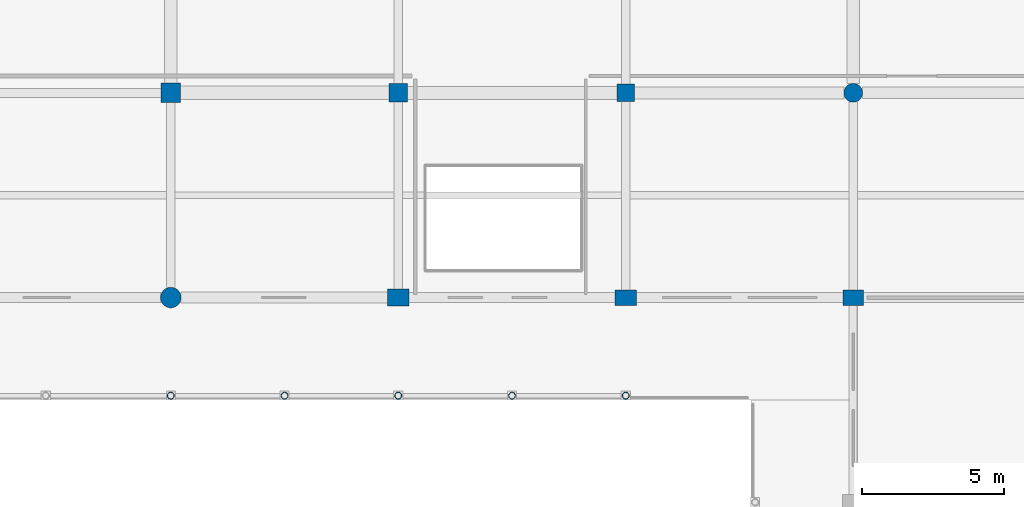
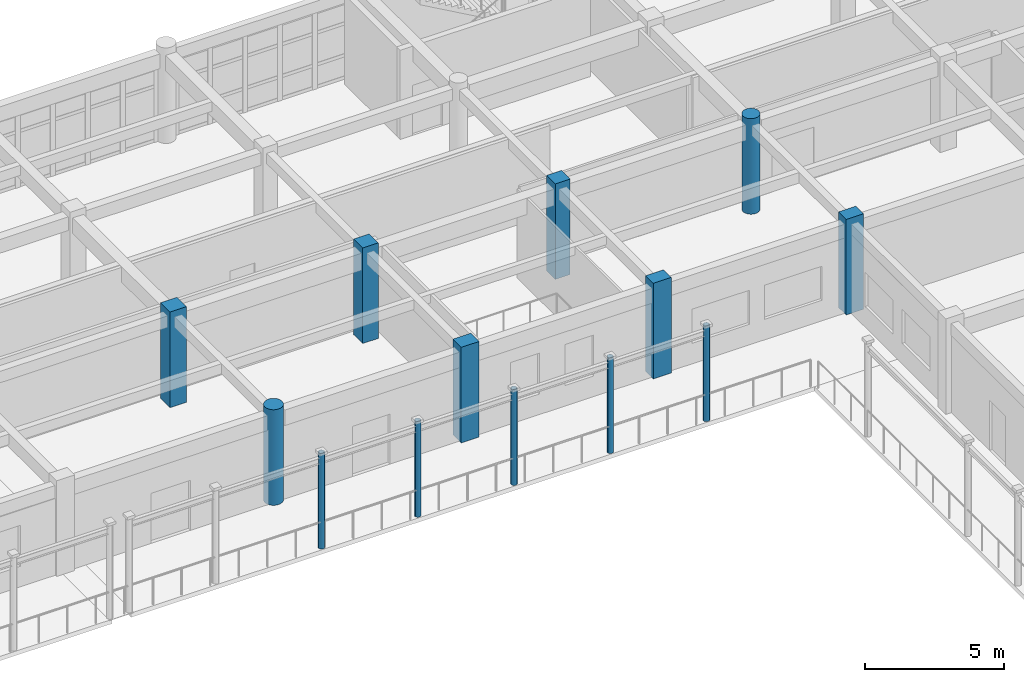
# One storey, part 30 of 195: 13 columns.
"""IFC4 building model written with IfcOpenShell, lengths in metres."""

from ifc_helpers import new_model, si_unit, direction, frame, origin, origin_2d, place, context, subcontext, project, spatial, rectangle, circle, hollow_circle, extrude, material, material_profile, profile_set, type_object, element, save


model = new_model("IFC4")

# Units and contexts
model_context = context("Model", 3, precision=1e-05, world=origin(), true_north=direction((0.0, 1.0)))
body_context = subcontext(model_context, "Body", "Model", "MODEL_VIEW")
ifc_project = project(units=[si_unit("LENGTHUNIT", "METRE"), si_unit("AREAUNIT", "SQUARE_METRE"), si_unit("VOLUMEUNIT", "CUBIC_METRE"), si_unit("PLANEANGLEUNIT", "RADIAN"), si_unit("MASSUNIT", "GRAM", prefix="KILO")], contexts=[model_context])

# Site, building, storey
site_placement = place(None, origin())
site = spatial("IfcSite", under=ifc_project, at=site_placement, CompositionType="ELEMENT")
building_placement = place(site_placement, origin())
building = spatial("IfcBuilding", under=site, at=building_placement, Name="Kharva Crest Polytechnic", CompositionType="ELEMENT")
storey_placement = place(building_placement, frame((0.0, 0.0, 9.0)))
storey = spatial("IfcBuildingStorey", under=building, at=storey_placement, Name="L02", CompositionType="ELEMENT", Elevation=9.0)

# Columns
ifc_material_1 = material(Name="Concrete C40/50", Category="concrete")
ifc_material_profile_1 = material_profile(ifc_material_1, rectangle(XDim=0.719970703125, YDim=0.550048828125, at=origin_2d()), Name="RECT 720 X 550")
ifc_profile_set_1 = profile_set([ifc_material_profile_1], Name="Concrete C40/50")
column_type_1 = type_object("IfcColumnType", Name="COL-EXT-720X550", PredefinedType="COLUMN", material=ifc_profile_set_1)
column_1_placement = place(storey_placement, frame((152.800048828125, 100.39990234375, 0.0), z_axis=(0.0, 0.0, 1.0), x_axis=(1.0, 0.0, 0.0)))
element("IfcColumn", 1, at=column_1_placement, inside=storey, type_object=column_type_1, Name="L02 Column 20/P", PredefinedType="COLUMN", context=body_context, shape_type="SweptSolid", body=[
    extrude(rectangle(XDim=0.719970703125, YDim=0.550048828125, at=origin_2d()), origin(), (0.0, 0.0, 1.0), 4.199951171875),
])
ifc_material_profile_2 = material_profile(ifc_material_1, rectangle(XDim=0.75, YDim=0.550048828125, at=origin_2d()), Name="RECT 750 X 550")
ifc_profile_set_2 = profile_set([ifc_material_profile_2], Name="Concrete C40/50")
column_type_2 = type_object("IfcColumnType", Name="COL-EXT-750X550", PredefinedType="COLUMN", material=ifc_profile_set_2)
column_2_placement = place(storey_placement, frame((144.800048828125, 100.39990234375, 0.0), z_axis=(0.0, 0.0, 1.0), x_axis=(1.0, 0.0, 0.0)))
element("IfcColumn", 2, at=column_2_placement, inside=storey, type_object=column_type_2, Name="L02 Column 19/P", PredefinedType="COLUMN", context=body_context, shape_type="SweptSolid", body=[
    extrude(rectangle(XDim=0.75, YDim=0.550048828125, at=origin_2d()), origin(), (0.0, 0.0, 1.0), 4.199951171875),
])
ifc_material_profile_3 = material_profile(ifc_material_1, rectangle(XDim=0.75, YDim=0.60009765625, at=origin_2d()), Name="RECT 750 X 600")
ifc_profile_set_3 = profile_set([ifc_material_profile_3], Name="Concrete C40/50")
column_type_3 = type_object("IfcColumnType", Name="COL-EXT-750X600", PredefinedType="COLUMN", material=ifc_profile_set_3)
column_3_placement = place(storey_placement, frame((136.800048828125, 100.39990234375, 0.0), z_axis=(0.0, 0.0, 1.0), x_axis=(1.0, 0.0, 0.0)))
element("IfcColumn", 3, at=column_3_placement, inside=storey, type_object=column_type_3, Name="L02 Column 18/P", PredefinedType="COLUMN", context=body_context, shape_type="SweptSolid", body=[
    extrude(rectangle(XDim=0.75, YDim=0.60009765625, at=origin_2d()), origin(), (0.0, 0.0, 1.0), 4.199951171875),
])
ifc_material_profile_4 = material_profile(ifc_material_1, circle(Radius=0.360107421875, at=origin_2d()), Name="DIA 720")
ifc_profile_set_4 = profile_set([ifc_material_profile_4], Name="Concrete C40/50")
column_type_4 = type_object("IfcColumnType", Name="COL-EXT-DIA720", PredefinedType="COLUMN", material=ifc_profile_set_4)
column_4_placement = place(storey_placement, frame((128.800048828125, 100.39990234375, 0.0), z_axis=(0.0, 0.0, 1.0), x_axis=(1.0, 0.0, 0.0)))
element("IfcColumn", 4, at=column_4_placement, inside=storey, type_object=column_type_4, Name="L02 Column 17/P", PredefinedType="COLUMN", context=body_context, shape_type="SweptSolid", body=[
    extrude(circle(Radius=0.360107421875, at=origin_2d()), origin(), (0.0, 0.0, 1.0), 4.199951171875),
])
ifc_material_profile_5 = material_profile(ifc_material_1, rectangle(XDim=0.6201171875, YDim=0.6201171875, at=origin_2d()), Name="RECT 620 X 620")
ifc_profile_set_5 = profile_set([ifc_material_profile_5], Name="Concrete C40/50")
column_type_5 = type_object("IfcColumnType", Name="COL-INT-620X620", PredefinedType="COLUMN", material=ifc_profile_set_5)
column_5_placement = place(storey_placement, frame((144.800048828125, 107.60009765625, 0.0), z_axis=(0.0, 0.0, 1.0), x_axis=(1.0, 0.0, 0.0)))
element("IfcColumn", 5, at=column_5_placement, inside=storey, type_object=column_type_5, Name="L02 Column 19/Q", PredefinedType="COLUMN", context=body_context, shape_type="SweptSolid", body=[
    extrude(rectangle(XDim=0.6201171875, YDim=0.6201171875, at=origin_2d()), origin(), (0.0, 0.0, 1.0), 4.199951171875),
])
ifc_material_profile_6 = material_profile(ifc_material_1, rectangle(XDim=0.64990234375, YDim=0.64990234375, at=origin_2d()), Name="RECT 650 X 650")
ifc_profile_set_6 = profile_set([ifc_material_profile_6], Name="Concrete C40/50")
column_type_6 = type_object("IfcColumnType", Name="COL-INT-650X650", PredefinedType="COLUMN", material=ifc_profile_set_6)
column_6_placement = place(storey_placement, frame((136.800048828125, 107.60009765625, 0.0), z_axis=(0.0, 0.0, 1.0), x_axis=(1.0, 0.0, 0.0)))
element("IfcColumn", 6, at=column_6_placement, inside=storey, type_object=column_type_6, Name="L02 Column 18/Q", PredefinedType="COLUMN", context=body_context, shape_type="SweptSolid", body=[
    extrude(rectangle(XDim=0.64990234375, YDim=0.64990234375, at=origin_2d()), origin(), (0.0, 0.0, 1.0), 4.199951171875),
])
ifc_material_profile_7 = material_profile(ifc_material_1, rectangle(XDim=0.679931640625, YDim=0.679931640625, at=origin_2d()), Name="RECT 680 X 680")
ifc_profile_set_7 = profile_set([ifc_material_profile_7], Name="Concrete C40/50")
column_type_7 = type_object("IfcColumnType", Name="COL-INT-680X680", PredefinedType="COLUMN", material=ifc_profile_set_7)
column_7_placement = place(storey_placement, frame((128.800048828125, 107.60009765625, 0.0), z_axis=(0.0, 0.0, 1.0), x_axis=(1.0, 0.0, 0.0)))
element("IfcColumn", 7, at=column_7_placement, inside=storey, type_object=column_type_7, Name="L02 Column 17/Q", PredefinedType="COLUMN", context=body_context, shape_type="SweptSolid", body=[
    extrude(rectangle(XDim=0.679931640625, YDim=0.679931640625, at=origin_2d()), origin(), (0.0, 0.0, 1.0), 4.199951171875),
])
ifc_material_profile_8 = material_profile(ifc_material_1, circle(Radius=0.330078125, at=origin_2d()), Name="DIA 660")
ifc_profile_set_8 = profile_set([ifc_material_profile_8], Name="Concrete C40/50")
column_type_8 = type_object("IfcColumnType", Name="COL-INT-DIA660", PredefinedType="COLUMN", material=ifc_profile_set_8)
column_8_placement = place(storey_placement, frame((152.800048828125, 107.60009765625, 0.0), z_axis=(0.0, 0.0, 1.0), x_axis=(1.0, 0.0, 0.0)))
element("IfcColumn", 8, at=column_8_placement, inside=storey, type_object=column_type_8, Name="L02 Column 20/Q", PredefinedType="COLUMN", context=body_context, shape_type="SweptSolid", body=[
    extrude(circle(Radius=0.330078125, at=origin_2d()), origin(), (0.0, 0.0, 1.0), 4.199951171875),
])
ifc_material_2 = material(Name="Steel S355", Category="steel")
ifc_material_profile_9 = material_profile(ifc_material_2, hollow_circle(Radius=0.122314453125, WallThickness=0.010009765625, at=origin_2d()), Name="CHS 244.5X10.0")
ifc_profile_set_9 = profile_set([ifc_material_profile_9], Name="Steel S355")
column_type_9 = type_object("IfcColumnType", Name="COL-STL-CHS244", PredefinedType="COLUMN", material=ifc_profile_set_9)
for number, where, z_axis, x_axis, name in (
    (9, (128.800048828125, 96.949951171875, 0.0), (0.0, 0.0, 1.0), (1.0, 0.0, 0.0), "L02 Colonnade Column VN11"),
    (10, (136.800048828125, 96.949951171875, 0.0), (0.0, 0.0, 1.0), (1.0, 0.0, 0.0), "L02 Colonnade Column VN12"),
    (11, (144.800048828125, 96.949951171875, 0.0), (0.0, 0.0, 1.0), (1.0, 0.0, 0.0), "L02 Colonnade Column VN13"),
    (12, (132.800048828125, 96.949951171875, 0.0), (0.0, 0.0, 1.0), (1.0, 0.0, 0.0), "L02 Colonnade Mid Column VNM10"),
    (13, (140.800048828125, 96.949951171875, 0.0), (0.0, 0.0, 1.0), (1.0, 0.0, 0.0), "L02 Colonnade Mid Column VNM11"),
):
    element("IfcColumn", number, at=place(storey_placement, frame(where, z_axis=z_axis, x_axis=x_axis)), inside=storey, type_object=column_type_9, Name=name, PredefinedType="COLUMN", context=body_context, shape_type="SweptSolid", body=[
        extrude(hollow_circle(Radius=0.122314453125, WallThickness=0.010009765625, at=origin_2d()), origin(), (0.0, 0.0, 1.0), 4.199951171875),
    ])

save(model, "model.ifc")
